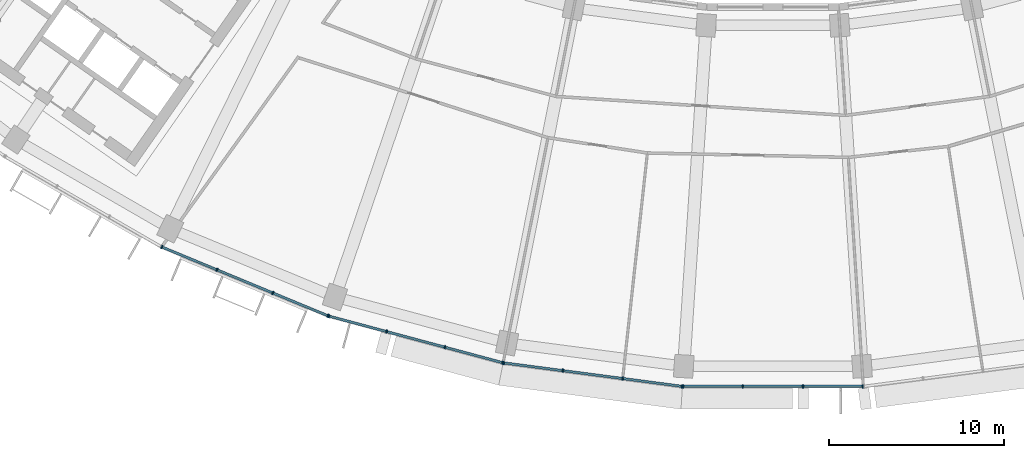
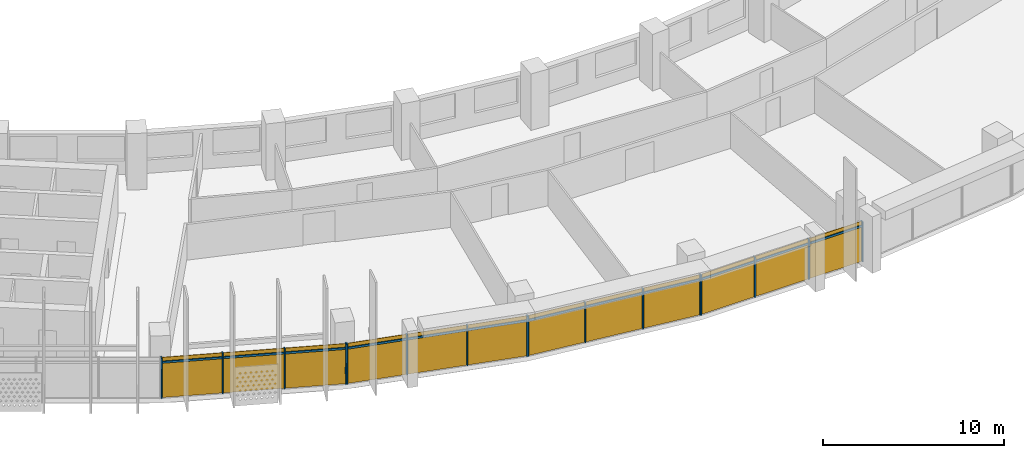
# One storey, part 20 of 27: 28 members, 4 curtain walls.
"""IFC4 building model written with IfcOpenShell, lengths in metres."""

from ifc_helpers import new_model, si_unit, direction, frame, origin, origin_2d, place, context, subcontext, project, spatial, rectangle, extrude, material, material_profile, profile_set, type_object, element, aggregate, save


model = new_model("IFC4")

# Units and contexts
model_context = context("Model", 3, precision=1e-05, world=origin(), true_north=direction((0.0, 1.0)))
body_context = subcontext(model_context, "Body", "Model", "MODEL_VIEW")
ifc_project = project(units=[si_unit("LENGTHUNIT", "METRE"), si_unit("AREAUNIT", "SQUARE_METRE"), si_unit("VOLUMEUNIT", "CUBIC_METRE"), si_unit("PLANEANGLEUNIT", "RADIAN"), si_unit("MASSUNIT", "GRAM", prefix="KILO")], contexts=[model_context])

# Member
ifc_material = material(Name="Aluminium 6063-T6 anodised", Category="aluminium")
ifc_material_profile_1 = material_profile(ifc_material, rectangle(XDim=0.199951171875, YDim=0.070068359375, at=origin_2d()))
ifc_profile_set_1 = profile_set([ifc_material_profile_1], Name="Aluminium 6063-T6 anodised")
member_type_1 = type_object("IfcMemberType", Name="Mullion 70 x 200 aluminium", PredefinedType="MULLION", material=ifc_profile_set_1)
site_placement = place(None, origin())
building_placement = place(site_placement, origin())
storey_placement = place(building_placement, frame((0.0, 0.0, 187.300048828125)))
member_1_placement = place(storey_placement, frame((-34.8701171875, -70.77392578125, 0.0), z_axis=(0.0, 0.0, 1.0), x_axis=(0.382683432365, 0.923879532511, 0.0)))
member_1 = element("IfcMember", 1, at=member_1_placement, type_object=member_type_1, Name="e-cw1-L44-out04/M00", PredefinedType="MULLION", context=body_context, shape_type="SweptSolid", body=[
    extrude(rectangle(XDim=0.199951171875, YDim=0.070068359375, at=origin_2d()), origin(), (0.0, 0.0, 1.0), 2.699951171875),
])

member_2_placement = place(storey_placement, frame((-31.72021484375, -72.078857421875, 0.0), z_axis=(0.0, 0.0, 1.0), x_axis=(0.382683432365, 0.923879532511, 0.0)))
member_2 = element("IfcMember", 2, at=member_2_placement, type_object=member_type_1, Name="e-cw1-L44-out04/M01", PredefinedType="MULLION", context=body_context, shape_type="SweptSolid", body=[
    extrude(rectangle(XDim=0.199951171875, YDim=0.070068359375, at=origin_2d()), origin(), (0.0, 0.0, 1.0), 2.699951171875),
])

member_3_placement = place(storey_placement, frame((-28.537841796875, -73.39697265625, 0.0), z_axis=(0.0, 0.0, 1.0), x_axis=(0.382683432365, 0.923879532511, 0.0)))
member_3 = element("IfcMember", 3, at=member_3_placement, type_object=member_type_1, Name="e-cw1-L44-out04/M02", PredefinedType="MULLION", context=body_context, shape_type="SweptSolid", body=[
    extrude(rectangle(XDim=0.199951171875, YDim=0.070068359375, at=origin_2d()), origin(), (0.0, 0.0, 1.0), 2.699951171875),
])

member_4_placement = place(storey_placement, frame((-25.3876953125, -74.70166015625, 0.0), z_axis=(0.0, 0.0, 1.0), x_axis=(0.382683432365, 0.923879532511, 0.0)))
member_4 = element("IfcMember", 4, at=member_4_placement, type_object=member_type_1, Name="e-cw1-L44-out04/M03", PredefinedType="MULLION", context=body_context, shape_type="SweptSolid", body=[
    extrude(rectangle(XDim=0.199951171875, YDim=0.070068359375, at=origin_2d()), origin(), (0.0, 0.0, 1.0), 2.699951171875),
])

member_5_placement = place(storey_placement, frame((-25.333984375, -74.719970703125, 0.0), z_axis=(0.0, 0.0, 1.0), x_axis=(0.258819045103, 0.965925826289, 0.0)))
member_5 = element("IfcMember", 5, at=member_5_placement, type_object=member_type_1, Name="e-cw1-L44-out05/M00", PredefinedType="MULLION", context=body_context, shape_type="SweptSolid", body=[
    extrude(rectangle(XDim=0.199951171875, YDim=0.070068359375, at=origin_2d()), origin(), (0.0, 0.0, 1.0), 2.699951171875),
])

member_6_placement = place(storey_placement, frame((-22.04052734375, -75.602294921875, 0.0), z_axis=(0.0, 0.0, 1.0), x_axis=(0.258819045103, 0.965925826289, 0.0)))
member_6 = element("IfcMember", 6, at=member_6_placement, type_object=member_type_1, Name="e-cw1-L44-out05/M01", PredefinedType="MULLION", context=body_context, shape_type="SweptSolid", body=[
    extrude(rectangle(XDim=0.199951171875, YDim=0.070068359375, at=origin_2d()), origin(), (0.0, 0.0, 1.0), 2.699951171875),
])

member_7_placement = place(storey_placement, frame((-18.71337890625, -76.493896484375, 0.0), z_axis=(0.0, 0.0, 1.0), x_axis=(0.258819045103, 0.965925826289, 0.0)))
member_7 = element("IfcMember", 7, at=member_7_placement, type_object=member_type_1, Name="e-cw1-L44-out05/M02", PredefinedType="MULLION", context=body_context, shape_type="SweptSolid", body=[
    extrude(rectangle(XDim=0.199951171875, YDim=0.070068359375, at=origin_2d()), origin(), (0.0, 0.0, 1.0), 2.699951171875),
])

member_8_placement = place(storey_placement, frame((-15.420166015625, -77.37646484375, 0.0), z_axis=(0.0, 0.0, 1.0), x_axis=(0.258819045103, 0.965925826289, 0.0)))
member_8 = element("IfcMember", 8, at=member_8_placement, type_object=member_type_1, Name="e-cw1-L44-out05/M03", PredefinedType="MULLION", context=body_context, shape_type="SweptSolid", body=[
    extrude(rectangle(XDim=0.199951171875, YDim=0.070068359375, at=origin_2d()), origin(), (0.0, 0.0, 1.0), 2.699951171875),
])

member_9_placement = place(storey_placement, frame((-15.364501953125, -77.387451171875, 0.0), z_axis=(0.0, 0.0, 1.0), x_axis=(0.13052619222, 0.991444861374, 0.0)))
member_9 = element("IfcMember", 9, at=member_9_placement, type_object=member_type_1, Name="e-cw1-L44-out06/M00", PredefinedType="MULLION", context=body_context, shape_type="SweptSolid", body=[
    extrude(rectangle(XDim=0.199951171875, YDim=0.070068359375, at=origin_2d()), origin(), (0.0, 0.0, 1.0), 2.699951171875),
])

member_10_placement = place(storey_placement, frame((-11.98388671875, -77.83251953125, 0.0), z_axis=(0.0, 0.0, 1.0), x_axis=(0.13052619222, 0.991444861374, 0.0)))
member_10 = element("IfcMember", 10, at=member_10_placement, type_object=member_type_1, Name="e-cw1-L44-out06/M01", PredefinedType="MULLION", context=body_context, shape_type="SweptSolid", body=[
    extrude(rectangle(XDim=0.199951171875, YDim=0.070068359375, at=origin_2d()), origin(), (0.0, 0.0, 1.0), 2.699951171875),
])

member_11_placement = place(storey_placement, frame((-8.56884765625, -78.2822265625, 0.0), z_axis=(0.0, 0.0, 1.0), x_axis=(0.13052619222, 0.991444861374, 0.0)))
member_11 = element("IfcMember", 11, at=member_11_placement, type_object=member_type_1, Name="e-cw1-L44-out06/M02", PredefinedType="MULLION", context=body_context, shape_type="SweptSolid", body=[
    extrude(rectangle(XDim=0.199951171875, YDim=0.070068359375, at=origin_2d()), origin(), (0.0, 0.0, 1.0), 2.699951171875),
])

member_12_placement = place(storey_placement, frame((-5.1884765625, -78.72705078125, 0.0), z_axis=(0.0, 0.0, 1.0), x_axis=(0.13052619222, 0.991444861374, 0.0)))
member_12 = element("IfcMember", 12, at=member_12_placement, type_object=member_type_1, Name="e-cw1-L44-out06/M03", PredefinedType="MULLION", context=body_context, shape_type="SweptSolid", body=[
    extrude(rectangle(XDim=0.199951171875, YDim=0.070068359375, at=origin_2d()), origin(), (0.0, 0.0, 1.0), 2.699951171875),
])

member_13_placement = place(storey_placement, frame((-5.1318359375, -78.73095703125, 0.0), z_axis=(0.0, 0.0, 1.0), x_axis=(0.0, 1.0, 0.0)))
member_13 = element("IfcMember", 13, at=member_13_placement, type_object=member_type_1, Name="e-cw1-L44-out07/M00", PredefinedType="MULLION", context=body_context, shape_type="SweptSolid", body=[
    extrude(rectangle(XDim=0.199951171875, YDim=0.070068359375, at=origin_2d()), origin(), (0.0, 0.0, 1.0), 2.699951171875),
])

member_14_placement = place(storey_placement, frame((-1.72216796875, -78.73095703125, 0.0), z_axis=(0.0, 0.0, 1.0), x_axis=(0.0, 1.0, 0.0)))
member_14 = element("IfcMember", 14, at=member_14_placement, type_object=member_type_1, Name="e-cw1-L44-out07/M01", PredefinedType="MULLION", context=body_context, shape_type="SweptSolid", body=[
    extrude(rectangle(XDim=0.199951171875, YDim=0.070068359375, at=origin_2d()), origin(), (0.0, 0.0, 1.0), 2.699951171875),
])

member_15_placement = place(storey_placement, frame((1.72216796875, -78.73095703125, 0.0), z_axis=(0.0, 0.0, 1.0), x_axis=(0.0, 1.0, 0.0)))
member_15 = element("IfcMember", 15, at=member_15_placement, type_object=member_type_1, Name="e-cw1-L44-out07/M02", PredefinedType="MULLION", context=body_context, shape_type="SweptSolid", body=[
    extrude(rectangle(XDim=0.199951171875, YDim=0.070068359375, at=origin_2d()), origin(), (0.0, 0.0, 1.0), 2.699951171875),
])

member_16_placement = place(storey_placement, frame((5.1318359375, -78.73095703125, 0.0), z_axis=(0.0, 0.0, 1.0), x_axis=(0.0, 1.0, 0.0)))
member_16 = element("IfcMember", 16, at=member_16_placement, type_object=member_type_1, Name="e-cw1-L44-out07/M03", PredefinedType="MULLION", context=body_context, shape_type="SweptSolid", body=[
    extrude(rectangle(XDim=0.199951171875, YDim=0.070068359375, at=origin_2d()), origin(), (0.0, 0.0, 1.0), 2.699951171875),
])

ifc_material_profile_2 = material_profile(ifc_material, rectangle(XDim=0.139892578125, YDim=0.1201171875, at=origin_2d()))
ifc_profile_set_2 = profile_set([ifc_material_profile_2], Name="Aluminium 6063-T6 anodised")
member_type_2 = type_object("IfcMemberType", Name="Transom 120 x 140 aluminium", PredefinedType="USERDEFINED", material=ifc_profile_set_2)
member_17_placement = place(storey_placement, frame((-34.837890625, -70.787353515625, 2.39990234375), z_axis=(0.923875164544, -0.382693977401, 0.0), x_axis=(0.382693977401, 0.923875164544, 0.0)))
member_17 = element("IfcMember", 17, at=member_17_placement, type_object=member_type_2, Name="e-cw1-L44-out04/T00", ObjectType="TRANSOM", PredefinedType="USERDEFINED", context=body_context, shape_type="SweptSolid", body=[
    extrude(rectangle(XDim=0.139892578125, YDim=0.1201171875, at=origin_2d()), origin(), (0.0, 0.0, 1.0), 3.339599609375),
])

member_18_placement = place(storey_placement, frame((-31.687744140625, -72.092041015625, 2.39990234375), z_axis=(0.923866926753, -0.382713863941, 0.0), x_axis=(0.382713863941, 0.923866926753, 0.0)))
member_18 = element("IfcMember", 18, at=member_18_placement, type_object=member_type_2, Name="e-cw1-L44-out04/T01", ObjectType="TRANSOM", PredefinedType="USERDEFINED", context=body_context, shape_type="SweptSolid", body=[
    extrude(rectangle(XDim=0.139892578125, YDim=0.1201171875, at=origin_2d()), origin(), (0.0, 0.0, 1.0), 3.37451171875),
])

member_19_placement = place(storey_placement, frame((-28.50537109375, -73.410400390625, 2.39990234375), z_axis=(0.923890305385, -0.382657423311, 0.0), x_axis=(0.382657423311, 0.923890305385, 0.0)))
member_19 = element("IfcMember", 19, at=member_19_placement, type_object=member_type_2, Name="e-cw1-L44-out04/T02", ObjectType="TRANSOM", PredefinedType="USERDEFINED", context=body_context, shape_type="SweptSolid", body=[
    extrude(rectangle(XDim=0.139892578125, YDim=0.1201171875, at=origin_2d()), origin(), (0.0, 0.0, 1.0), 3.33935546875),
])

member_20_placement = place(storey_placement, frame((-25.30029296875, -74.72900390625, 2.39990234375), z_axis=(0.965933368091, -0.258790897074, 0.0), x_axis=(0.258790897074, 0.965933368091, 0.0)))
member_20 = element("IfcMember", 20, at=member_20_placement, type_object=member_type_2, Name="e-cw1-L44-out05/T00", ObjectType="TRANSOM", PredefinedType="USERDEFINED", context=body_context, shape_type="SweptSolid", body=[
    extrude(rectangle(XDim=0.139892578125, YDim=0.1201171875, at=origin_2d()), origin(), (0.0, 0.0, 1.0), 3.339599609375),
])

member_21_placement = place(storey_placement, frame((-22.0068359375, -75.611572265625, 2.39990234375), z_axis=(0.965932873966, -0.258792741381, 0.0), x_axis=(0.258792741381, 0.965932873966, 0.0)))
member_21 = element("IfcMember", 21, at=member_21_placement, type_object=member_type_2, Name="e-cw1-L44-out05/T01", ObjectType="TRANSOM", PredefinedType="USERDEFINED", context=body_context, shape_type="SweptSolid", body=[
    extrude(rectangle(XDim=0.139892578125, YDim=0.1201171875, at=origin_2d()), origin(), (0.0, 0.0, 1.0), 3.37451171875),
])

member_22_placement = place(storey_placement, frame((-18.6796875, -76.5029296875, 2.39990234375), z_axis=(0.96591509168, -0.258859103886, 0.0), x_axis=(0.258859103886, 0.96591509168, 0.0)))
member_22 = element("IfcMember", 22, at=member_22_placement, type_object=member_type_2, Name="e-cw1-L44-out05/T02", ObjectType="TRANSOM", PredefinedType="USERDEFINED", context=body_context, shape_type="SweptSolid", body=[
    extrude(rectangle(XDim=0.139892578125, YDim=0.1201171875, at=origin_2d()), origin(), (0.0, 0.0, 1.0), 3.339599609375),
])

member_23_placement = place(storey_placement, frame((-15.32958984375, -77.39208984375, 2.39990234375), z_axis=(0.991448073325, -0.130501792706, 0.0), x_axis=(0.130501792706, 0.991448073325, 0.0)))
member_23 = element("IfcMember", 23, at=member_23_placement, type_object=member_type_2, Name="e-cw1-L44-out06/T00", ObjectType="TRANSOM", PredefinedType="USERDEFINED", context=body_context, shape_type="SweptSolid", body=[
    extrude(rectangle(XDim=0.139892578125, YDim=0.1201171875, at=origin_2d()), origin(), (0.0, 0.0, 1.0), 3.33935546875),
])

member_24_placement = place(storey_placement, frame((-11.94921875, -77.837158203125, 2.39990234375), z_axis=(0.991446413845, -0.130514399487, 0.0), x_axis=(0.130514399487, 0.991446413845, 0.0)))
member_24 = element("IfcMember", 24, at=member_24_placement, type_object=member_type_2, Name="e-cw1-L44-out06/T01", ObjectType="TRANSOM", PredefinedType="USERDEFINED", context=body_context, shape_type="SweptSolid", body=[
    extrude(rectangle(XDim=0.139892578125, YDim=0.1201171875, at=origin_2d()), origin(), (0.0, 0.0, 1.0), 3.37451171875),
])

member_25_placement = place(storey_placement, frame((-8.5341796875, -78.28662109375, 2.39990234375), z_axis=(0.991439857731, -0.130564193033, 0.0), x_axis=(0.130564193033, 0.991439857731, 0.0)))
member_25 = element("IfcMember", 25, at=member_25_placement, type_object=member_type_2, Name="e-cw1-L44-out06/T02", ObjectType="TRANSOM", PredefinedType="USERDEFINED", context=body_context, shape_type="SweptSolid", body=[
    extrude(rectangle(XDim=0.139892578125, YDim=0.1201171875, at=origin_2d()), origin(), (0.0, 0.0, 1.0), 3.339599609375),
])

member_26_placement = place(storey_placement, frame((-5.096923828125, -78.73095703125, 2.39990234375), z_axis=(1.0, 0.0, 0.0), x_axis=(0.0, 1.0, 0.0)))
member_26 = element("IfcMember", 26, at=member_26_placement, type_object=member_type_2, Name="e-cw1-L44-out07/T00", ObjectType="TRANSOM", PredefinedType="USERDEFINED", context=body_context, shape_type="SweptSolid", body=[
    extrude(rectangle(XDim=0.139892578125, YDim=0.1201171875, at=origin_2d()), origin(), (0.0, 0.0, 1.0), 3.339599609375),
])

member_27_placement = place(storey_placement, frame((-1.687255859375, -78.73095703125, 2.39990234375), z_axis=(1.0, 0.0, 0.0), x_axis=(0.0, 1.0, 0.0)))
member_27 = element("IfcMember", 27, at=member_27_placement, type_object=member_type_2, Name="e-cw1-L44-out07/T01", ObjectType="TRANSOM", PredefinedType="USERDEFINED", context=body_context, shape_type="SweptSolid", body=[
    extrude(rectangle(XDim=0.139892578125, YDim=0.1201171875, at=origin_2d()), origin(), (0.0, 0.0, 1.0), 3.37451171875),
])

member_28_placement = place(storey_placement, frame((1.75732421875, -78.73095703125, 2.39990234375), z_axis=(1.0, 0.0, 0.0), x_axis=(0.0, 1.0, 0.0)))
member_28 = element("IfcMember", 28, at=member_28_placement, type_object=member_type_2, Name="e-cw1-L44-out07/T02", ObjectType="TRANSOM", PredefinedType="USERDEFINED", context=body_context, shape_type="SweptSolid", body=[
    extrude(rectangle(XDim=0.139892578125, YDim=0.1201171875, at=origin_2d()), origin(), (0.0, 0.0, 1.0), 3.339599609375),
])

# Site, building, storey
site = spatial("IfcSite", under=ifc_project, at=site_placement, CompositionType="ELEMENT")
building = spatial("IfcBuilding", under=site, at=building_placement, Name="Qamariyya Broadcast Tower", CompositionType="ELEMENT")
storey = spatial("IfcBuildingStorey", under=building, at=storey_placement, Name="L44", CompositionType="ELEMENT", Elevation=187.300048828125)

# Curtain wall
curtain_wall_type = type_object("IfcCurtainWallType", Name="Unitised curtain wall, anodised aluminium", PredefinedType="NOTDEFINED", material=ifc_material)
curtain_wall_1_placement = place(storey_placement, origin())
curtain_wall_1 = element("IfcCurtainWall", 29, at=curtain_wall_1_placement, inside=storey, type_object=curtain_wall_type, Name="e-cw1-L44-out04", PredefinedType="NOTDEFINED", context=body_context, shape_type="SweptSolid", body=[
    extrude(rectangle(XDim=3.339599609375, YDim=0.031982421875, at=origin_2d()), frame((-33.295166015625, -71.42626953125, 0.0), x_axis=(0.923878040314, -0.382687034829, 0.0)), (0.0, 0.0, 1.0), 2.340087890625),
    extrude(rectangle(XDim=3.339599609375, YDim=0.031982421875, at=origin_2d()), frame((-33.295166015625, -71.42626953125, 2.4599609375), x_axis=(0.923878040314, -0.382687034829, 0.0)), (0.0, 0.0, 1.0), 0.239990234375),
    extrude(rectangle(XDim=3.37451171875, YDim=0.031982421875, at=origin_2d()), frame((-30.12890625, -72.73779296875, 0.0), x_axis=(0.923878040314, -0.382687034829, 0.0)), (0.0, 0.0, 1.0), 2.340087890625),
    extrude(rectangle(XDim=3.37451171875, YDim=0.031982421875, at=origin_2d()), frame((-30.12890625, -72.73779296875, 2.4599609375), x_axis=(0.923878040314, -0.382687034829, 0.0)), (0.0, 0.0, 1.0), 0.239990234375),
    extrude(rectangle(XDim=3.339599609375, YDim=0.031982421875, at=origin_2d()), frame((-26.962890625, -74.04931640625, 0.0), x_axis=(0.923878040314, -0.382687034829, 0.0)), (0.0, 0.0, 1.0), 2.340087890625),
    extrude(rectangle(XDim=3.339599609375, YDim=0.031982421875, at=origin_2d()), frame((-26.962890625, -74.04931640625, 2.4599609375), x_axis=(0.923878040314, -0.382687034829, 0.0)), (0.0, 0.0, 1.0), 0.239990234375),
])

aggregate(curtain_wall_1, [member_1, member_2, member_3, member_4, member_17, member_18, member_19])

curtain_wall_2_placement = place(storey_placement, origin())
curtain_wall_2 = element("IfcCurtainWall", 30, at=curtain_wall_2_placement, inside=storey, type_object=curtain_wall_type, Name="e-cw1-L44-out05", PredefinedType="NOTDEFINED", context=body_context, shape_type="SweptSolid", body=[
    extrude(rectangle(XDim=3.339599609375, YDim=0.031982421875, at=origin_2d()), frame((-23.6875, -75.1611328125, 0.0), x_axis=(0.965926433062, -0.258816780584, 0.0)), (0.0, 0.0, 1.0), 2.340087890625),
    extrude(rectangle(XDim=3.339599609375, YDim=0.031982421875, at=origin_2d()), frame((-23.6875, -75.1611328125, 2.4599609375), x_axis=(0.965926433062, -0.258816780584, 0.0)), (0.0, 0.0, 1.0), 0.239990234375),
    extrude(rectangle(XDim=3.37451171875, YDim=0.031982421875, at=origin_2d()), frame((-20.376953125, -76.04833984375, 0.0), x_axis=(0.965926433062, -0.258816780584, 0.0)), (0.0, 0.0, 1.0), 2.340087890625),
    extrude(rectangle(XDim=3.37451171875, YDim=0.031982421875, at=origin_2d()), frame((-20.376953125, -76.04833984375, 2.4599609375), x_axis=(0.965926433062, -0.258816780584, 0.0)), (0.0, 0.0, 1.0), 0.239990234375),
    extrude(rectangle(XDim=3.339599609375, YDim=0.031982421875, at=origin_2d()), frame((-17.066650390625, -76.935302734375, 0.0), x_axis=(0.965926433062, -0.258816780584, 0.0)), (0.0, 0.0, 1.0), 2.340087890625),
    extrude(rectangle(XDim=3.339599609375, YDim=0.031982421875, at=origin_2d()), frame((-17.066650390625, -76.935302734375, 2.4599609375), x_axis=(0.965926433062, -0.258816780584, 0.0)), (0.0, 0.0, 1.0), 0.239990234375),
])

aggregate(curtain_wall_2, [member_5, member_6, member_7, member_8, member_20, member_21, member_22])

curtain_wall_3_placement = place(storey_placement, origin())
curtain_wall_3 = element("IfcCurtainWall", 31, at=curtain_wall_3_placement, inside=storey, type_object=curtain_wall_type, Name="e-cw1-L44-out06", PredefinedType="NOTDEFINED", context=body_context, shape_type="SweptSolid", body=[
    extrude(rectangle(XDim=3.339599609375, YDim=0.031982421875, at=origin_2d()), frame((-13.67431640625, -77.60986328125, 0.0), x_axis=(0.991444240905, -0.130530905064, 0.0)), (0.0, 0.0, 1.0), 2.340087890625),
    extrude(rectangle(XDim=3.339599609375, YDim=0.031982421875, at=origin_2d()), frame((-13.67431640625, -77.60986328125, 2.4599609375), x_axis=(0.991444240905, -0.130530905064, 0.0)), (0.0, 0.0, 1.0), 0.239990234375),
    extrude(rectangle(XDim=3.37451171875, YDim=0.031982421875, at=origin_2d()), frame((-10.2763671875, -78.05712890625, 0.0), x_axis=(0.991444240905, -0.130530905064, 0.0)), (0.0, 0.0, 1.0), 2.340087890625),
    extrude(rectangle(XDim=3.37451171875, YDim=0.031982421875, at=origin_2d()), frame((-10.2763671875, -78.05712890625, 2.4599609375), x_axis=(0.991444240905, -0.130530905064, 0.0)), (0.0, 0.0, 1.0), 0.239990234375),
    extrude(rectangle(XDim=3.339599609375, YDim=0.031982421875, at=origin_2d()), frame((-6.878662109375, -78.504638671875, 0.0), x_axis=(0.991444240905, -0.130530905064, 0.0)), (0.0, 0.0, 1.0), 2.340087890625),
    extrude(rectangle(XDim=3.339599609375, YDim=0.031982421875, at=origin_2d()), frame((-6.878662109375, -78.504638671875, 2.4599609375), x_axis=(0.991444240905, -0.130530905064, 0.0)), (0.0, 0.0, 1.0), 0.239990234375),
])

aggregate(curtain_wall_3, [member_9, member_10, member_11, member_12, member_23, member_24, member_25])

curtain_wall_4_placement = place(storey_placement, origin())
curtain_wall_4 = element("IfcCurtainWall", 32, at=curtain_wall_4_placement, inside=storey, type_object=curtain_wall_type, Name="e-cw1-L44-out07", PredefinedType="NOTDEFINED", context=body_context, shape_type="SweptSolid", body=[
    extrude(rectangle(XDim=3.339599609375, YDim=0.031982421875, at=origin_2d()), frame((-3.427001953125, -78.73095703125, 0.0), x_axis=(1.0, 0.0, 0.0)), (0.0, 0.0, 1.0), 2.340087890625),
    extrude(rectangle(XDim=3.339599609375, YDim=0.031982421875, at=origin_2d()), frame((-3.427001953125, -78.73095703125, 2.4599609375), x_axis=(1.0, 0.0, 0.0)), (0.0, 0.0, 1.0), 0.239990234375),
    extrude(rectangle(XDim=3.37451171875, YDim=0.031982421875, at=origin_2d()), frame((0.0, -78.73095703125, 0.0), x_axis=(1.0, 0.0, 0.0)), (0.0, 0.0, 1.0), 2.340087890625),
    extrude(rectangle(XDim=3.37451171875, YDim=0.031982421875, at=origin_2d()), frame((0.0, -78.73095703125, 2.4599609375), x_axis=(1.0, 0.0, 0.0)), (0.0, 0.0, 1.0), 0.239990234375),
    extrude(rectangle(XDim=3.339599609375, YDim=0.031982421875, at=origin_2d()), frame((3.427001953125, -78.73095703125, 0.0), x_axis=(1.0, 0.0, 0.0)), (0.0, 0.0, 1.0), 2.340087890625),
    extrude(rectangle(XDim=3.339599609375, YDim=0.031982421875, at=origin_2d()), frame((3.427001953125, -78.73095703125, 2.4599609375), x_axis=(1.0, 0.0, 0.0)), (0.0, 0.0, 1.0), 0.239990234375),
])

aggregate(curtain_wall_4, [member_13, member_14, member_15, member_16, member_26, member_27, member_28])

save(model, "model.ifc")
